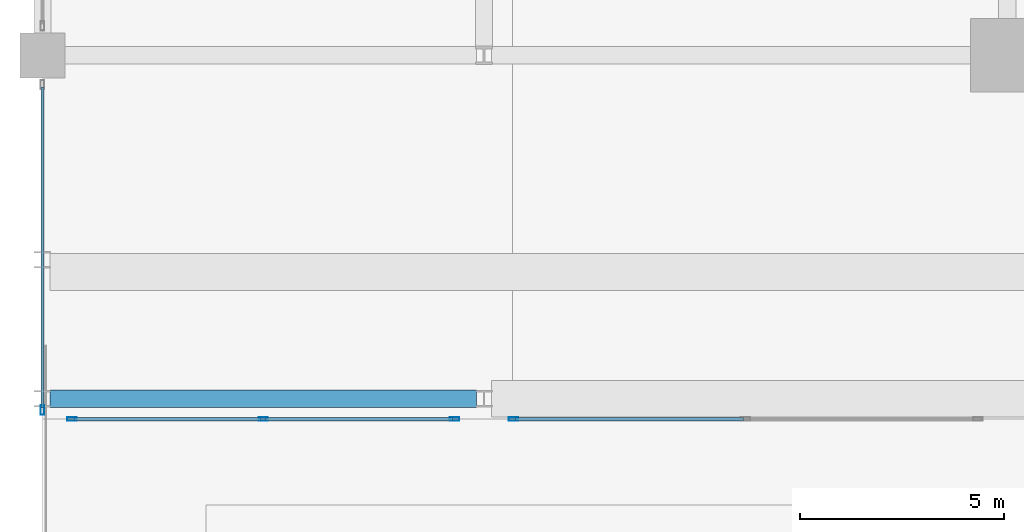
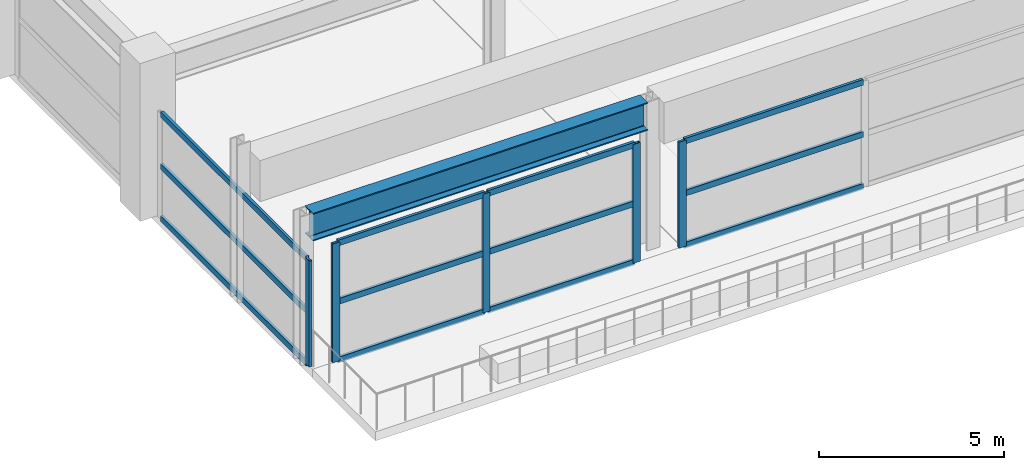
# One storey, part 4 of 45: 17 members, 1 beam, 3 elements without a shape of their own.
"""IFC4 building model written with IfcOpenShell, lengths in metres."""

from ifc_helpers import new_model, si_unit, direction, frame, origin, origin_2d, place, context, subcontext, project, spatial, hollow_rectangle, i_section, extrude, material, material_profile, profile_set, type_object, element, aggregate, save


model = new_model("IFC4")

# Units and contexts
model_context = context("Model", 3, precision=1e-05, world=origin(), true_north=direction((0.0, 1.0)))
body_context = subcontext(model_context, "Body", "Model", "MODEL_VIEW")
ifc_project = project(units=[si_unit("LENGTHUNIT", "METRE"), si_unit("AREAUNIT", "SQUARE_METRE"), si_unit("VOLUMEUNIT", "CUBIC_METRE"), si_unit("PLANEANGLEUNIT", "RADIAN"), si_unit("MASSUNIT", "GRAM", prefix="KILO")], contexts=[model_context])

# Site, building, storey
site_placement = place(None, origin())
site = spatial("IfcSite", under=ifc_project, at=site_placement, CompositionType="ELEMENT")
building_placement = place(site_placement, origin())
building = spatial("IfcBuilding", under=site, at=building_placement, Name="Kovane Verandah Tower", CompositionType="ELEMENT")
storey_placement = place(building_placement, frame((0.0, 0.0, 6.0)))
storey = spatial("IfcBuildingStorey", under=building, at=storey_placement, Name="L01", CompositionType="ELEMENT", Elevation=6.0)

# Beam
ifc_material_1 = material(Name="Steel S460", Category="steel")
ifc_material_profile_1 = material_profile(ifc_material_1, i_section(OverallWidth=0.42041015625, OverallDepth=0.9208984375, WebThickness=0.021484375, FlangeThickness=0.03662109375, FilletRadius=0.024169921875, at=origin_2d()), Name="UB914x419x388")
ifc_profile_set_1 = profile_set([ifc_material_profile_1], Name="Steel S460")
beam_type = type_object("IfcBeamType", Name="BM-UB914x388", PredefinedType="BEAM", material=ifc_profile_set_1)
beam_placement = place(storey_placement, frame((-1.820068359375, 2.39990234375, 4.439453125), z_axis=(1.0, 0.0, 0.0), x_axis=(0.0, 1.0, 0.0)))
element("IfcBeam", 1, at=beam_placement, inside=storey, type_object=beam_type, Name="L01 South Terrace Girder S1-1", PredefinedType="BEAM", context=body_context, shape_type="SweptSolid", body=[
    extrude(i_section(OverallWidth=0.42041015625, OverallDepth=0.9208984375, WebThickness=0.021484375, FlangeThickness=0.03662109375, FilletRadius=0.024169921875, at=origin_2d()), origin(), (0.0, 0.0, 1.0), 10.440185546875),
])

# Curtain wall, members
ifc_material_2 = material(Name="Champagne Anodised Aluminium Frame with Low-E Clear Laminated Glass", Category="aluminium")
curtain_wall_type = type_object("IfcCurtainWallType", Name="CW-SYS-01-POD", PredefinedType="NOTDEFINED", material=ifc_material_2)
curtain_wall_1_placement = place(storey_placement, origin())
curtain_wall_1 = element("IfcCurtainWall", 2, at=curtain_wall_1_placement, inside=storey, type_object=curtain_wall_type, Name="L01 South Podium Curtain Wall Bay 1.1", PredefinedType="NOTDEFINED")
ifc_material_3 = material(Name="Champagne Anodised Aluminium 6063-T6", Category="aluminium")
ifc_material_profile_2 = material_profile(ifc_material_3, hollow_rectangle(XDim=0.0849609375, YDim=0.22998046875, WallThickness=0.00390625, at=origin_2d()), Name="AL85x230x4")
ifc_profile_set_2 = profile_set([ifc_material_profile_2], Name="Champagne Anodised Aluminium 6063-T6")
member_type_1 = type_object("IfcMemberType", Name="CW-MUL-85x230", PredefinedType="MULLION", material=ifc_profile_set_2)
member_1_placement = place(storey_placement, frame((-1.280029296875, 1.89990234375, 0.02001953125), z_axis=(0.0, 0.0, 1.0), x_axis=(0.0, -1.0, 0.0)))
member_1 = element("IfcMember", 3, at=member_1_placement, type_object=member_type_1, Name="L01 South Podium Curtain Wall Bay 1.1 Mullion 1", PredefinedType="MULLION", context=body_context, shape_type="SweptSolid", body=[
    extrude(hollow_rectangle(XDim=0.0849609375, YDim=0.22998046875, WallThickness=0.00390625, at=origin_2d()), origin(), (0.0, 0.0, 1.0), 3.9189453125),
])
member_2_placement = place(storey_placement, frame((3.39990234375, 1.89990234375, 0.02001953125), z_axis=(0.0, 0.0, 1.0), x_axis=(0.0, -1.0, 0.0)))
member_2 = element("IfcMember", 4, at=member_2_placement, type_object=member_type_1, Name="L01 South Podium Curtain Wall Bay 1.1 Mullion 2", PredefinedType="MULLION", context=body_context, shape_type="SweptSolid", body=[
    extrude(hollow_rectangle(XDim=0.0849609375, YDim=0.22998046875, WallThickness=0.00390625, at=origin_2d()), origin(), (0.0, 0.0, 1.0), 3.9189453125),
])
member_3_placement = place(storey_placement, frame((8.080078125, 1.89990234375, 0.02001953125), z_axis=(0.0, 0.0, 1.0), x_axis=(0.0, -1.0, 0.0)))
member_3 = element("IfcMember", 5, at=member_3_placement, type_object=member_type_1, Name="L01 South Podium Curtain Wall Bay 1.1 Mullion 3", PredefinedType="MULLION", context=body_context, shape_type="SweptSolid", body=[
    extrude(hollow_rectangle(XDim=0.0849609375, YDim=0.22998046875, WallThickness=0.00390625, at=origin_2d()), origin(), (0.0, 0.0, 1.0), 3.9189453125),
])

# Curtain wall, member
curtain_wall_2_placement = place(storey_placement, origin())
curtain_wall_2 = element("IfcCurtainWall", 6, at=curtain_wall_2_placement, inside=storey, type_object=curtain_wall_type, Name="L01 South Podium Curtain Wall Bay 2.1", PredefinedType="NOTDEFINED")
member_4_placement = place(storey_placement, frame((9.52001953125, 1.89990234375, 0.02001953125), z_axis=(0.0, 0.0, 1.0), x_axis=(0.0, -1.0, 0.0)))
member_4 = element("IfcMember", 7, at=member_4_placement, type_object=member_type_1, Name="L01 South Podium Curtain Wall Bay 2.1 Mullion 1", PredefinedType="MULLION", context=body_context, shape_type="SweptSolid", body=[
    extrude(hollow_rectangle(XDim=0.0849609375, YDim=0.22998046875, WallThickness=0.00390625, at=origin_2d()), origin(), (0.0, 0.0, 1.0), 3.489990234375),
])

curtain_wall_3_placement = place(storey_placement, origin())
curtain_wall_3 = element("IfcCurtainWall", 8, at=curtain_wall_3_placement, inside=storey, type_object=curtain_wall_type, Name="L01 West Podium Curtain Wall Bay 1", PredefinedType="NOTDEFINED")
member_5_placement = place(storey_placement, frame((-2.0, 2.1201171875, 0.02001953125), z_axis=(0.0, 0.0, 1.0), x_axis=(-1.0, 0.0, 0.0)))
member_5 = element("IfcMember", 9, at=member_5_placement, type_object=member_type_1, Name="L01 West Podium Curtain Wall Bay 1 Mullion 2", PredefinedType="MULLION", context=body_context, shape_type="SweptSolid", body=[
    extrude(hollow_rectangle(XDim=0.0849609375, YDim=0.22998046875, WallThickness=0.00390625, at=origin_2d()), origin(), (0.0, 0.0, 1.0), 3.489990234375),
])

# Member
ifc_material_profile_3 = material_profile(ifc_material_3, hollow_rectangle(XDim=0.0849609375, YDim=0.18994140625, WallThickness=0.00390625, at=origin_2d()), Name="AL85x190x4")
ifc_profile_set_3 = profile_set([ifc_material_profile_3], Name="Champagne Anodised Aluminium 6063-T6")
member_type_2 = type_object("IfcMemberType", Name="CW-TRN-85x190", PredefinedType="USERDEFINED", material=ifc_profile_set_3)
member_6_placement = place(storey_placement, frame((-1.22998046875, 1.89990234375, 0.050048828125), z_axis=(1.0, 0.0, 0.0), x_axis=(0.0, 1.0, 0.0)))
member_6 = element("IfcMember", 10, at=member_6_placement, type_object=member_type_2, Name="L01 South Podium Curtain Wall Bay 1.1 Transom TB Bay 1", ObjectType="TRANSOM", PredefinedType="USERDEFINED", context=body_context, shape_type="SweptSolid", body=[
    extrude(hollow_rectangle(XDim=0.0849609375, YDim=0.18994140625, WallThickness=0.00390625, at=origin_2d()), origin(), (0.0, 0.0, 1.0), 4.580078125),
])

member_7_placement = place(storey_placement, frame((-1.22998046875, 1.89990234375, 1.9794921875), z_axis=(1.0, 0.0, 0.0), x_axis=(0.0, 1.0, 0.0)))
member_7 = element("IfcMember", 11, at=member_7_placement, type_object=member_type_2, Name="L01 South Podium Curtain Wall Bay 1.1 Transom TM Bay 1", ObjectType="TRANSOM", PredefinedType="USERDEFINED", context=body_context, shape_type="SweptSolid", body=[
    extrude(hollow_rectangle(XDim=0.0849609375, YDim=0.18994140625, WallThickness=0.00390625, at=origin_2d()), origin(), (0.0, 0.0, 1.0), 4.580078125),
])

member_8_placement = place(storey_placement, frame((-1.22998046875, 1.89990234375, 3.908935546875), z_axis=(1.0, 0.0, 0.0), x_axis=(0.0, 1.0, 0.0)))
member_8 = element("IfcMember", 12, at=member_8_placement, type_object=member_type_2, Name="L01 South Podium Curtain Wall Bay 1.1 Transom TT Bay 1", ObjectType="TRANSOM", PredefinedType="USERDEFINED", context=body_context, shape_type="SweptSolid", body=[
    extrude(hollow_rectangle(XDim=0.0849609375, YDim=0.18994140625, WallThickness=0.00390625, at=origin_2d()), origin(), (0.0, 0.0, 1.0), 4.580078125),
])

member_9_placement = place(storey_placement, frame((3.449951171875, 1.89990234375, 0.050048828125), z_axis=(1.0, 0.0, 0.0), x_axis=(0.0, 1.0, 0.0)))
member_9 = element("IfcMember", 13, at=member_9_placement, type_object=member_type_2, Name="L01 South Podium Curtain Wall Bay 1.1 Transom TB Bay 2", ObjectType="TRANSOM", PredefinedType="USERDEFINED", context=body_context, shape_type="SweptSolid", body=[
    extrude(hollow_rectangle(XDim=0.0849609375, YDim=0.18994140625, WallThickness=0.00390625, at=origin_2d()), origin(), (0.0, 0.0, 1.0), 4.580078125),
])

member_10_placement = place(storey_placement, frame((3.449951171875, 1.89990234375, 1.9794921875), z_axis=(1.0, 0.0, 0.0), x_axis=(0.0, 1.0, 0.0)))
member_10 = element("IfcMember", 14, at=member_10_placement, type_object=member_type_2, Name="L01 South Podium Curtain Wall Bay 1.1 Transom TM Bay 2", ObjectType="TRANSOM", PredefinedType="USERDEFINED", context=body_context, shape_type="SweptSolid", body=[
    extrude(hollow_rectangle(XDim=0.0849609375, YDim=0.18994140625, WallThickness=0.00390625, at=origin_2d()), origin(), (0.0, 0.0, 1.0), 4.580078125),
])

member_11_placement = place(storey_placement, frame((3.449951171875, 1.89990234375, 3.908935546875), z_axis=(1.0, 0.0, 0.0), x_axis=(0.0, 1.0, 0.0)))
member_11 = element("IfcMember", 15, at=member_11_placement, type_object=member_type_2, Name="L01 South Podium Curtain Wall Bay 1.1 Transom TT Bay 2", ObjectType="TRANSOM", PredefinedType="USERDEFINED", context=body_context, shape_type="SweptSolid", body=[
    extrude(hollow_rectangle(XDim=0.0849609375, YDim=0.18994140625, WallThickness=0.00390625, at=origin_2d()), origin(), (0.0, 0.0, 1.0), 4.580078125),
])

aggregate(curtain_wall_1, [member_1, member_2, member_3, member_6, member_7, member_8, member_9, member_10, member_11])

member_12_placement = place(storey_placement, frame((9.570068359375, 1.89990234375, 0.050048828125), z_axis=(1.0, 0.0, 0.0), x_axis=(0.0, 1.0, 0.0)))
member_12 = element("IfcMember", 16, at=member_12_placement, type_object=member_type_2, Name="L01 South Podium Curtain Wall Bay 2.1 Transom TB Bay 1", ObjectType="TRANSOM", PredefinedType="USERDEFINED", context=body_context, shape_type="SweptSolid", body=[
    extrude(hollow_rectangle(XDim=0.0849609375, YDim=0.18994140625, WallThickness=0.00390625, at=origin_2d()), origin(), (0.0, 0.0, 1.0), 5.579833984375),
])

member_13_placement = place(storey_placement, frame((9.570068359375, 1.89990234375, 1.764892578125), z_axis=(1.0, 0.0, 0.0), x_axis=(0.0, 1.0, 0.0)))
member_13 = element("IfcMember", 17, at=member_13_placement, type_object=member_type_2, Name="L01 South Podium Curtain Wall Bay 2.1 Transom TM Bay 1", ObjectType="TRANSOM", PredefinedType="USERDEFINED", context=body_context, shape_type="SweptSolid", body=[
    extrude(hollow_rectangle(XDim=0.0849609375, YDim=0.18994140625, WallThickness=0.00390625, at=origin_2d()), origin(), (0.0, 0.0, 1.0), 5.579833984375),
])

member_14_placement = place(storey_placement, frame((9.570068359375, 1.89990234375, 3.47998046875), z_axis=(1.0, 0.0, 0.0), x_axis=(0.0, 1.0, 0.0)))
member_14 = element("IfcMember", 18, at=member_14_placement, type_object=member_type_2, Name="L01 South Podium Curtain Wall Bay 2.1 Transom TT Bay 1", ObjectType="TRANSOM", PredefinedType="USERDEFINED", context=body_context, shape_type="SweptSolid", body=[
    extrude(hollow_rectangle(XDim=0.0849609375, YDim=0.18994140625, WallThickness=0.00390625, at=origin_2d()), origin(), (0.0, 0.0, 1.0), 5.579833984375),
])

aggregate(curtain_wall_2, [member_4, member_12, member_13, member_14])

member_15_placement = place(storey_placement, frame((-2.0, 10.030029296875, 0.050048828125), z_axis=(0.0, -1.0, 0.0), x_axis=(1.0, 0.0, 0.0)))
member_15 = element("IfcMember", 19, at=member_15_placement, type_object=member_type_2, Name="L01 West Podium Curtain Wall Bay 1 Transom TB Bay 1", ObjectType="TRANSOM", PredefinedType="USERDEFINED", context=body_context, shape_type="SweptSolid", body=[
    extrude(hollow_rectangle(XDim=0.0849609375, YDim=0.18994140625, WallThickness=0.00390625, at=origin_2d()), origin(), (0.0, 0.0, 1.0), 7.860107421875),
])

member_16_placement = place(storey_placement, frame((-2.0, 10.030029296875, 1.764892578125), z_axis=(0.0, -1.0, 0.0), x_axis=(1.0, 0.0, 0.0)))
member_16 = element("IfcMember", 20, at=member_16_placement, type_object=member_type_2, Name="L01 West Podium Curtain Wall Bay 1 Transom TM Bay 1", ObjectType="TRANSOM", PredefinedType="USERDEFINED", context=body_context, shape_type="SweptSolid", body=[
    extrude(hollow_rectangle(XDim=0.0849609375, YDim=0.18994140625, WallThickness=0.00390625, at=origin_2d()), origin(), (0.0, 0.0, 1.0), 7.860107421875),
])

member_17_placement = place(storey_placement, frame((-2.0, 10.030029296875, 3.47998046875), z_axis=(0.0, -1.0, 0.0), x_axis=(1.0, 0.0, 0.0)))
member_17 = element("IfcMember", 21, at=member_17_placement, type_object=member_type_2, Name="L01 West Podium Curtain Wall Bay 1 Transom TT Bay 1", ObjectType="TRANSOM", PredefinedType="USERDEFINED", context=body_context, shape_type="SweptSolid", body=[
    extrude(hollow_rectangle(XDim=0.0849609375, YDim=0.18994140625, WallThickness=0.00390625, at=origin_2d()), origin(), (0.0, 0.0, 1.0), 7.860107421875),
])

aggregate(curtain_wall_3, [member_5, member_15, member_16, member_17])

save(model, "model.ifc")
